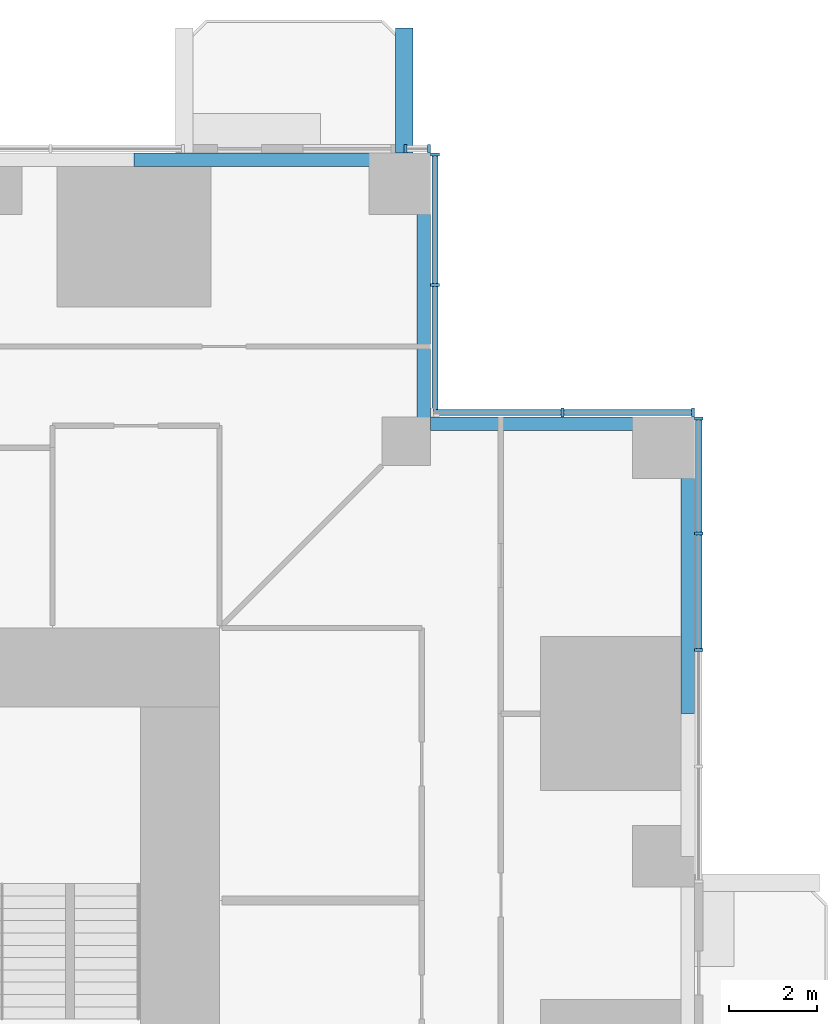
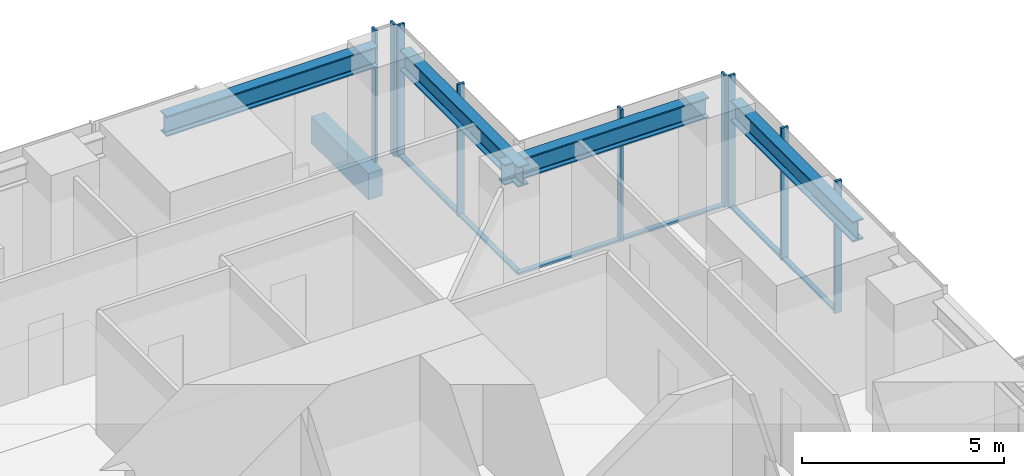
# One storey, part 6 of 18: 15 members, 5 beams, 4 elements without a shape of their own.
"""IFC4 building model written with IfcOpenShell, lengths in metres."""

from ifc_helpers import new_model, si_unit, direction, frame, origin, origin_2d, place, context, subcontext, project, spatial, rectangle, i_section, extrude, material, material_profile, profile_set, type_object, element, aggregate, save


model = new_model("IFC4")

# Units and contexts
model_context = context("Model", 3, precision=1e-05, world=origin(), true_north=direction((0.0, 1.0)))
body_context = subcontext(model_context, "Body", "Model", "MODEL_VIEW")
ifc_project = project(units=[si_unit("LENGTHUNIT", "METRE"), si_unit("AREAUNIT", "SQUARE_METRE"), si_unit("VOLUMEUNIT", "CUBIC_METRE"), si_unit("PLANEANGLEUNIT", "RADIAN"), si_unit("MASSUNIT", "GRAM", prefix="KILO")], contexts=[model_context])

# Site, building, storey
site_placement = place(None, origin())
site = spatial("IfcSite", under=ifc_project, at=site_placement, CompositionType="ELEMENT")
building_placement = place(site_placement, origin())
building = spatial("IfcBuilding", under=site, at=building_placement, Name="Svetlomir Tower", CompositionType="ELEMENT")
storey_placement = place(building_placement, frame((0.0, 0.0, 78.5)))
storey = spatial("IfcBuildingStorey", under=building, at=storey_placement, Name="L18", CompositionType="ELEMENT", Elevation=78.5)

# Beam
ifc_material_1 = material(Name="Concrete C60/75", Category="concrete")
ifc_material_profile_1 = material_profile(ifc_material_1, rectangle(XDim=0.39990234375, YDim=0.800048828125, at=origin_2d()), Name="RC 400x800")
ifc_profile_set_1 = profile_set([ifc_material_profile_1], Name="Concrete C60/75")
beam_type_1 = type_object("IfcBeamType", Name="BALCONY RIB RC 400x800", PredefinedType="BEAM", material=ifc_profile_set_1)
beam_placement = place(storey_placement, frame((35.39990234375, 42.0, -0.64990234375), z_axis=(0.0, 1.0, 0.0), x_axis=(-1.0, 0.0, 0.0)))
element("IfcBeam", 1, at=beam_placement, inside=storey, type_object=beam_type_1, Name="Balcony rib N 2 L18", PredefinedType="BEAM", context=body_context, shape_type="SweptSolid", body=[
    extrude(rectangle(XDim=0.39990234375, YDim=0.800048828125, at=origin_2d()), origin(), (0.0, 0.0, 1.0), 2.85009765625),
])

# Curtain wall, members
ifc_material_2 = material(Name="Bronze anodised aluminium curtain wall", Category="aluminium")
curtain_wall_type = type_object("IfcCurtainWallType", Name="CURTAIN WALL CW1 TOWER OFFICE", PredefinedType="NOTDEFINED", material=ifc_material_2)
curtain_wall_1_placement = place(storey_placement, origin())
curtain_wall_1 = element("IfcCurtainWall", 2, at=curtain_wall_1_placement, inside=storey, type_object=curtain_wall_type, Name="Curtain wall CW1 L18", PredefinedType="NOTDEFINED")
ifc_material_3 = material(Name="Bronze anodised aluminium", Category="aluminium")
ifc_material_profile_2 = material_profile(ifc_material_3, rectangle(XDim=0.06494140625, YDim=0.199951171875, at=origin_2d()), Name="AL 65x200")
ifc_profile_set_2 = profile_set([ifc_material_profile_2], Name="Bronze anodised aluminium 6063-T6")
member_type_1 = type_object("IfcMemberType", Name="CW1 MULLION 65x200", PredefinedType="MULLION", material=ifc_profile_set_2)
member_1_placement = place(storey_placement, frame((42.10009765625, 30.699951171875, 0.0), z_axis=(0.0, 0.0, 1.0), x_axis=(0.0, 1.0, 0.0)))
member_1 = element("IfcMember", 3, at=member_1_placement, type_object=member_type_1, Name="CW1 mullion 3", PredefinedType="MULLION", context=body_context, shape_type="SweptSolid", body=[
    extrude(rectangle(XDim=0.06494140625, YDim=0.199951171875, at=origin_2d()), origin(), (0.0, 0.0, 1.0), 4.0),
])
member_2_placement = place(storey_placement, frame((42.10009765625, 33.35009765625, 0.0), z_axis=(0.0, 0.0, 1.0), x_axis=(0.0, 1.0, 0.0)))
member_2 = element("IfcMember", 4, at=member_2_placement, type_object=member_type_1, Name="CW1 mullion 4", PredefinedType="MULLION", context=body_context, shape_type="SweptSolid", body=[
    extrude(rectangle(XDim=0.06494140625, YDim=0.199951171875, at=origin_2d()), origin(), (0.0, 0.0, 1.0), 4.0),
])
member_3_placement = place(storey_placement, frame((42.10009765625, 35.967529296875, 0.0), z_axis=(0.0, 0.0, 1.0), x_axis=(0.0, 1.0, 0.0)))
member_3 = element("IfcMember", 5, at=member_3_placement, type_object=member_type_1, Name="CW1 mullion 5", PredefinedType="MULLION", context=body_context, shape_type="SweptSolid", body=[
    extrude(rectangle(XDim=0.06494140625, YDim=0.199951171875, at=origin_2d()), origin(), (0.0, 0.0, 1.0), 4.0),
])

curtain_wall_2_placement = place(storey_placement, origin())
curtain_wall_2 = element("IfcCurtainWall", 6, at=curtain_wall_2_placement, inside=storey, type_object=curtain_wall_type, Name="Curtain wall CW1 L18", PredefinedType="NOTDEFINED")
member_4_placement = place(storey_placement, frame((41.967529296875, 36.10009765625, 0.0), z_axis=(0.0, 0.0, 1.0), x_axis=(-1.0, 0.0, 0.0)))
member_4 = element("IfcMember", 7, at=member_4_placement, type_object=member_type_1, Name="CW1 mullion 1", PredefinedType="MULLION", context=body_context, shape_type="SweptSolid", body=[
    extrude(rectangle(XDim=0.06494140625, YDim=0.199951171875, at=origin_2d()), origin(), (0.0, 0.0, 1.0), 4.0),
])
member_5_placement = place(storey_placement, frame((39.0, 36.10009765625, 0.0), z_axis=(0.0, 0.0, 1.0), x_axis=(-1.0, 0.0, 0.0)))
member_5 = element("IfcMember", 8, at=member_5_placement, type_object=member_type_1, Name="CW1 mullion 2", PredefinedType="MULLION", context=body_context, shape_type="SweptSolid", body=[
    extrude(rectangle(XDim=0.06494140625, YDim=0.199951171875, at=origin_2d()), origin(), (0.0, 0.0, 1.0), 4.0),
])

curtain_wall_3_placement = place(storey_placement, origin())
curtain_wall_3 = element("IfcCurtainWall", 9, at=curtain_wall_3_placement, inside=storey, type_object=curtain_wall_type, Name="Curtain wall CW1 L18", PredefinedType="NOTDEFINED")
member_6_placement = place(storey_placement, frame((36.10009765625, 39.0, 0.0), z_axis=(0.0, 0.0, 1.0), x_axis=(0.0, 1.0, 0.0)))
member_6 = element("IfcMember", 10, at=member_6_placement, type_object=member_type_1, Name="CW1 mullion 2", PredefinedType="MULLION", context=body_context, shape_type="SweptSolid", body=[
    extrude(rectangle(XDim=0.06494140625, YDim=0.199951171875, at=origin_2d()), origin(), (0.0, 0.0, 1.0), 4.0),
])
member_7_placement = place(storey_placement, frame((36.10009765625, 41.967529296875, 0.0), z_axis=(0.0, 0.0, 1.0), x_axis=(0.0, 1.0, 0.0)))
member_7 = element("IfcMember", 11, at=member_7_placement, type_object=member_type_1, Name="CW1 mullion 3", PredefinedType="MULLION", context=body_context, shape_type="SweptSolid", body=[
    extrude(rectangle(XDim=0.06494140625, YDim=0.199951171875, at=origin_2d()), origin(), (0.0, 0.0, 1.0), 4.0),
])

curtain_wall_4_placement = place(storey_placement, origin())
curtain_wall_4 = element("IfcCurtainWall", 12, at=curtain_wall_4_placement, inside=storey, type_object=curtain_wall_type, Name="Curtain wall CW1 L18", PredefinedType="NOTDEFINED")
member_8_placement = place(storey_placement, frame((35.967529296875, 42.10009765625, 0.0), z_axis=(0.0, 0.0, 1.0), x_axis=(-1.0, 0.0, 0.0)))
member_8 = element("IfcMember", 13, at=member_8_placement, type_object=member_type_1, Name="CW1 mullion 1", PredefinedType="MULLION", context=body_context, shape_type="SweptSolid", body=[
    extrude(rectangle(XDim=0.06494140625, YDim=0.199951171875, at=origin_2d()), origin(), (0.0, 0.0, 1.0), 4.0),
])
member_9_placement = place(storey_placement, frame((35.4326171875, 42.10009765625, 0.0), z_axis=(0.0, 0.0, 1.0), x_axis=(-1.0, 0.0, 0.0)))
member_9 = element("IfcMember", 14, at=member_9_placement, type_object=member_type_1, Name="CW1 mullion 2", PredefinedType="MULLION", context=body_context, shape_type="SweptSolid", body=[
    extrude(rectangle(XDim=0.06494140625, YDim=0.199951171875, at=origin_2d()), origin(), (0.0, 0.0, 1.0), 4.0),
])
aggregate(curtain_wall_4, [member_8, member_9])

# Member
ifc_material_4 = material(Name="Bronze anodised aluminium", Category="aluminium")
ifc_material_profile_3 = material_profile(ifc_material_4, rectangle(XDim=0.139892578125, YDim=0.06494140625, at=origin_2d()), Name="AL 140x65")
ifc_profile_set_3 = profile_set([ifc_material_profile_3], Name="Bronze anodised aluminium 6063-T6")
member_type_2 = type_object("IfcMemberType", Name="CW1 TRANSOM 65x140", PredefinedType="USERDEFINED", material=ifc_profile_set_3)
member_10_placement = place(storey_placement, frame((42.10009765625, 30.732421875, 0.032470703125), z_axis=(0.0, 1.0, 0.0), x_axis=(-1.0, 0.0, 0.0)))
member_10 = element("IfcMember", 15, at=member_10_placement, type_object=member_type_2, Name="CW1 transom 3.1", ObjectType="TRANSOM", PredefinedType="USERDEFINED", context=body_context, shape_type="SweptSolid", body=[
    extrude(rectangle(XDim=0.139892578125, YDim=0.06494140625, at=origin_2d()), origin(), (0.0, 0.0, 1.0), 2.5849609375),
])

member_11_placement = place(storey_placement, frame((42.10009765625, 33.382568359375, 0.032470703125), z_axis=(0.0, 1.0, 0.0), x_axis=(-1.0, 0.0, 0.0)))
member_11 = element("IfcMember", 16, at=member_11_placement, type_object=member_type_2, Name="CW1 transom 4.1", ObjectType="TRANSOM", PredefinedType="USERDEFINED", context=body_context, shape_type="SweptSolid", body=[
    extrude(rectangle(XDim=0.139892578125, YDim=0.06494140625, at=origin_2d()), origin(), (0.0, 0.0, 1.0), 2.552490234375),
])

aggregate(curtain_wall_1, [member_1, member_2, member_3, member_10, member_11])

member_12_placement = place(storey_placement, frame((41.93505859375, 36.10009765625, 0.032470703125), z_axis=(-1.0, 0.0, 0.0), x_axis=(0.0, -1.0, 0.0)))
member_12 = element("IfcMember", 17, at=member_12_placement, type_object=member_type_2, Name="CW1 transom 1.1", ObjectType="TRANSOM", PredefinedType="USERDEFINED", context=body_context, shape_type="SweptSolid", body=[
    extrude(rectangle(XDim=0.139892578125, YDim=0.06494140625, at=origin_2d()), origin(), (0.0, 0.0, 1.0), 2.902587890625),
])

member_13_placement = place(storey_placement, frame((38.967529296875, 36.10009765625, 0.032470703125), z_axis=(-1.0, 0.0, 0.0), x_axis=(0.0, -1.0, 0.0)))
member_13 = element("IfcMember", 18, at=member_13_placement, type_object=member_type_2, Name="CW1 transom 2.1", ObjectType="TRANSOM", PredefinedType="USERDEFINED", context=body_context, shape_type="SweptSolid", body=[
    extrude(rectangle(XDim=0.139892578125, YDim=0.06494140625, at=origin_2d()), origin(), (0.0, 0.0, 1.0), 2.902587890625),
])

aggregate(curtain_wall_2, [member_4, member_5, member_12, member_13])

member_14_placement = place(storey_placement, frame((36.10009765625, 36.06494140625, 0.032470703125), z_axis=(0.0, 1.0, 0.0), x_axis=(-1.0, 0.0, 0.0)))
member_14 = element("IfcMember", 19, at=member_14_placement, type_object=member_type_2, Name="CW1 transom 1.1", ObjectType="TRANSOM", PredefinedType="USERDEFINED", context=body_context, shape_type="SweptSolid", body=[
    extrude(rectangle(XDim=0.139892578125, YDim=0.06494140625, at=origin_2d()), origin(), (0.0, 0.0, 1.0), 2.902587890625),
])

member_15_placement = place(storey_placement, frame((36.10009765625, 39.032470703125, 0.032470703125), z_axis=(0.0, 1.0, 0.0), x_axis=(-1.0, 0.0, 0.0)))
member_15 = element("IfcMember", 20, at=member_15_placement, type_object=member_type_2, Name="CW1 transom 2.1", ObjectType="TRANSOM", PredefinedType="USERDEFINED", context=body_context, shape_type="SweptSolid", body=[
    extrude(rectangle(XDim=0.139892578125, YDim=0.06494140625, at=origin_2d()), origin(), (0.0, 0.0, 1.0), 2.902587890625),
])

aggregate(curtain_wall_3, [member_6, member_7, member_14, member_15])

# Beams
ifc_material_5 = material(Name="Steel S355", Category="steel")
ifc_material_profile_4 = material_profile(ifc_material_5, i_section(OverallWidth=0.304931640625, OverallDepth=0.6201171875, WebThickness=0.02099609375, FlangeThickness=0.0400390625, FilletRadius=0.027099609375, at=origin_2d()), Name="HEM 600")
ifc_profile_set_4 = profile_set([ifc_material_profile_4], Name="Steel S355")
beam_type_2 = type_object("IfcBeamType", Name="EDGE BEAM HEM 600", PredefinedType="SPANDREL", material=ifc_profile_set_4)
for number, where, z_axis, x_axis, name in (
    (21, (41.847412109375, 29.25, 3.43994140625), (0.0, 1.0, 0.0), (-1.0, 0.0, 0.0), "Edge beam 42/31 to 42/36 under L19"),
    (22, (29.25, 41.847412109375, 3.43994140625), (1.0, 0.0, 0.0), (0.0, 1.0, 0.0), "Edge beam 31/42 to 36/42 under L19"),
):
    element("IfcBeam", number, at=place(storey_placement, frame(where, z_axis=z_axis, x_axis=x_axis)), inside=storey, type_object=beam_type_2, Name=name, PredefinedType="SPANDREL", context=body_context, shape_type="SweptSolid", body=[
        extrude(i_section(OverallWidth=0.304931640625, OverallDepth=0.6201171875, WebThickness=0.02099609375, FlangeThickness=0.0400390625, FilletRadius=0.027099609375, at=origin_2d()), origin(), (0.0, 0.0, 1.0), 6.050048828125),
    ])
for number, where, z_axis, x_axis, name in (
    (23, (35.847412109375, 41.300048828125, 3.43994140625), (0.0, -1.0, 0.0), (1.0, 0.0, 0.0), "Edge beam 36/42 to 36/36 under L19"),
    (24, (41.300048828125, 35.847412109375, 3.43994140625), (-1.0, 0.0, 0.0), (0.0, -1.0, 0.0), "Edge beam 42/36 to 36/36 under L19"),
):
    element("IfcBeam", number, at=place(storey_placement, frame(where, z_axis=z_axis, x_axis=x_axis)), inside=storey, type_object=beam_type_2, Name=name, PredefinedType="SPANDREL", context=body_context, shape_type="SweptSolid", body=[
        extrude(i_section(OverallWidth=0.304931640625, OverallDepth=0.6201171875, WebThickness=0.02099609375, FlangeThickness=0.0400390625, FilletRadius=0.027099609375, at=origin_2d()), origin(), (0.0, 0.0, 1.0), 5.85009765625),
    ])

save(model, "model.ifc")
